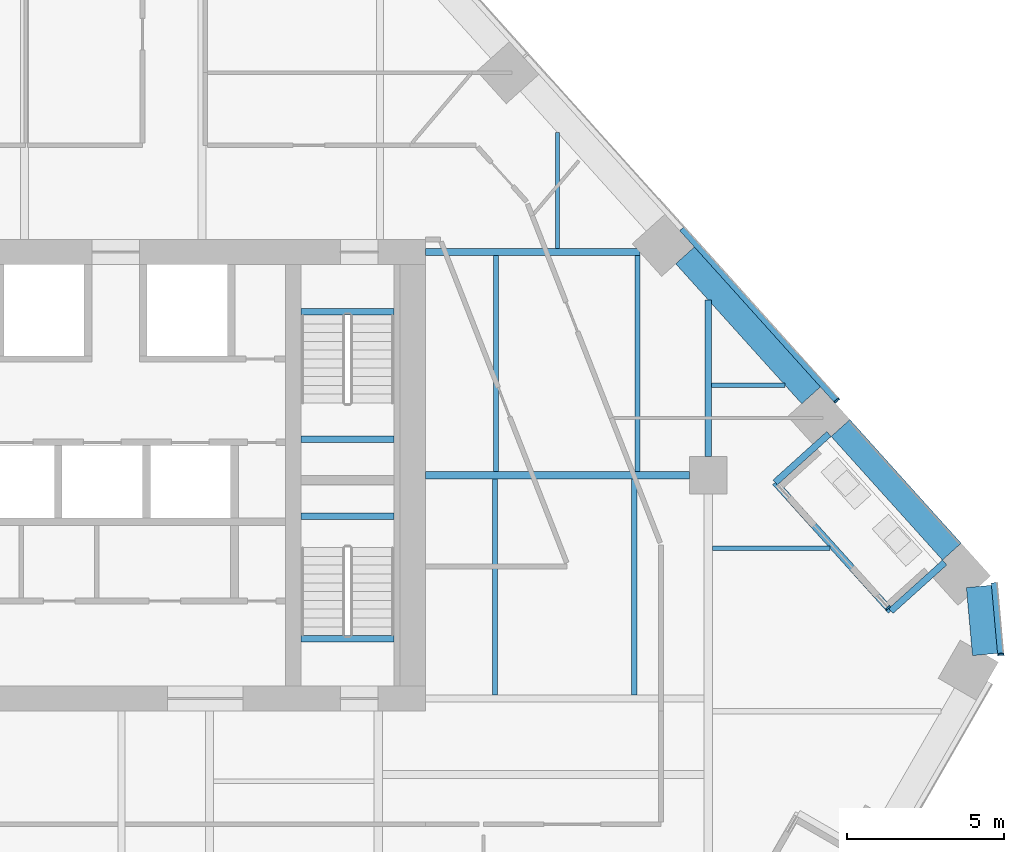
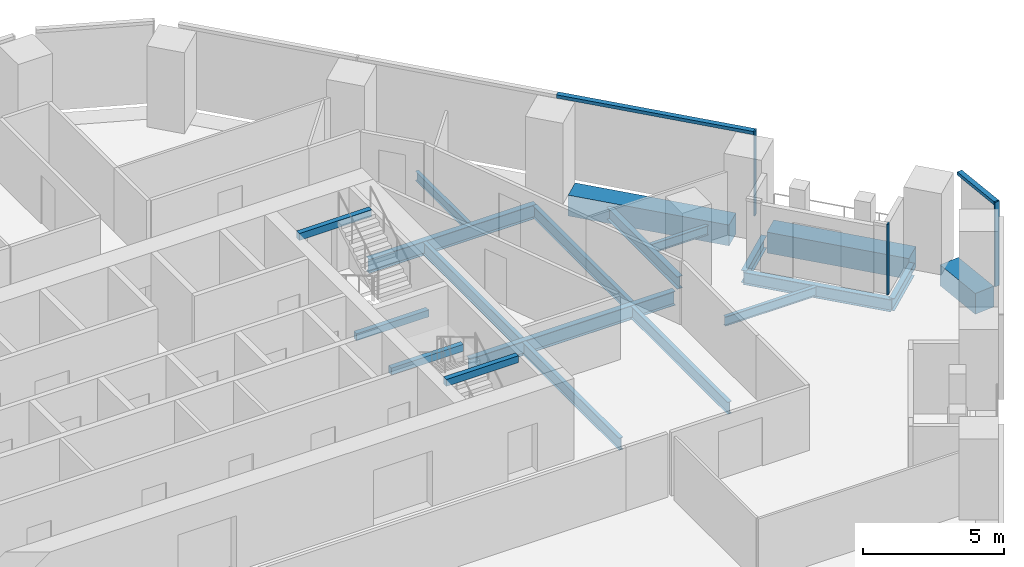
# One storey, part 10 of 26: 20 beams, 5 members, 3 elements without a shape of their own.
"""IFC4 building model written with IfcOpenShell, lengths in metres."""

from ifc_helpers import new_model, si_unit, direction, frame, origin, origin_2d, place, context, subcontext, project, spatial, rectangle, i_section, extrude, material, layer, layer_set, material_profile, profile_set, type_object, element, aggregate, save


model = new_model("IFC4")

# Units and contexts
model_context = context("Model", 3, precision=1e-05, world=origin(), true_north=direction((0.0, 1.0)))
body_context = subcontext(model_context, "Body", "Model", "MODEL_VIEW")
ifc_project = project(units=[si_unit("LENGTHUNIT", "METRE"), si_unit("AREAUNIT", "SQUARE_METRE"), si_unit("VOLUMEUNIT", "CUBIC_METRE"), si_unit("PLANEANGLEUNIT", "RADIAN"), si_unit("MASSUNIT", "GRAM", prefix="KILO")], contexts=[model_context])

# Site, building, storey
site_placement = place(None, origin())
site = spatial("IfcSite", under=ifc_project, at=site_placement, CompositionType="ELEMENT")
building_placement = place(site_placement, origin())
building = spatial("IfcBuilding", under=site, at=building_placement, Name="Isthmus Gate Tower", CompositionType="ELEMENT")
storey_placement = place(building_placement, frame((0.0, 0.0, 129.800048828125)))
storey = spatial("IfcBuildingStorey", under=building, at=storey_placement, Name="L31", CompositionType="ELEMENT", Elevation=129.800048828125)

# Curtain wall, member
ifc_material_1 = material(Name="Aluminium, pale champagne anodised", Category="aluminium")
ifc_layer_1 = layer(ifc_material_1, 0.199951171875)
ifc_layer_set_1 = layer_set([ifc_layer_1], Name="CW-1 UNITISED CURTAIN WALL 200 DEEP")
curtain_wall_type_1 = type_object("IfcCurtainWallType", Name="CW-1 UNITISED CURTAIN WALL 200 DEEP", PredefinedType="NOTDEFINED", material=ifc_layer_set_1)
curtain_wall_1_placement = place(storey_placement, origin())
curtain_wall_1 = element("IfcCurtainWall", 1, at=curtain_wall_1_placement, inside=storey, type_object=curtain_wall_type_1, Name="CW-1 SE-NE L31", PredefinedType="NOTDEFINED")
ifc_material_2 = material(Name="Aluminium, pale champagne anodised", Category="aluminium")
ifc_material_profile_1 = material_profile(ifc_material_2, rectangle(XDim=0.06005859375, YDim=0.199951171875, at=origin_2d()), Name="60x200")
ifc_profile_set_1 = profile_set([ifc_material_profile_1], Name="Aluminium, pale champagne anodised")
member_type_1 = type_object("IfcMemberType", Name="CW-1 MULLION 60 X 200", PredefinedType="MULLION", material=ifc_profile_set_1)
member_1_placement = place(storey_placement, frame((33.307861328125, 1.804443359375, 0.0), z_axis=(0.0, 0.0, 1.0), x_axis=(-0.089396669717, 0.995996102123, 0.0)))
member_1 = element("IfcMember", 2, at=member_1_placement, type_object=member_type_1, Name="CW-1 mullion", PredefinedType="MULLION", context=body_context, shape_type="SweptSolid", body=[
    extrude(rectangle(XDim=0.06005859375, YDim=0.199951171875, at=origin_2d()), origin(), (0.0, 0.0, 1.0), 3.64990234375),
])

curtain_wall_2_placement = place(storey_placement, origin())
curtain_wall_2 = element("IfcCurtainWall", 3, at=curtain_wall_2_placement, inside=storey, type_object=curtain_wall_type_1, Name="CW-1 NE L31", PredefinedType="NOTDEFINED")
member_2_placement = place(storey_placement, frame((28.09228515625, 9.880615234375, 0.0), z_axis=(0.0, 0.0, 1.0), x_axis=(-0.669130606359, 0.743144825477, 0.0)))
member_2 = element("IfcMember", 4, at=member_2_placement, type_object=member_type_1, Name="CW-1 mullion", PredefinedType="MULLION", context=body_context, shape_type="SweptSolid", body=[
    extrude(rectangle(XDim=0.06005859375, YDim=0.199951171875, at=origin_2d()), origin(), (0.0, 0.0, 1.0), 3.64990234375),
])

# Member
ifc_material_3 = material(Name="Aluminium, pale champagne anodised", Category="aluminium")
ifc_material_profile_2 = material_profile(ifc_material_3, rectangle(XDim=0.199951171875, YDim=0.139892578125, at=origin_2d()), Name="200x140")
ifc_profile_set_2 = profile_set([ifc_material_profile_2], Name="Aluminium, pale champagne anodised")
member_type_2 = type_object("IfcMemberType", Name="CW-1 TRANSOM 200 X 140", PredefinedType="USERDEFINED", material=ifc_profile_set_2)
member_3_placement = place(storey_placement, frame((33.30517578125, 1.83447265625, 3.579833984375), z_axis=(-0.089395362867, 0.995996219419, 0.0), x_axis=(-0.995996219419, -0.089395362867, 0.0)))
member_3 = element("IfcMember", 5, at=member_3_placement, type_object=member_type_2, Name="CW-1 transom", ObjectType="TRANSOM", PredefinedType="USERDEFINED", context=body_context, shape_type="SweptSolid", body=[
    extrude(rectangle(XDim=0.199951171875, YDim=0.139892578125, at=origin_2d()), origin(), (0.0, 0.0, 1.0), 2.258544921875),
])

aggregate(curtain_wall_1, [member_1, member_3])

member_4_placement = place(storey_placement, frame((28.072265625, 9.903076171875, 3.579833984375), z_axis=(-0.669137671884, 0.743138463589, 0.0), x_axis=(-0.743138463589, -0.669137671884, 0.0)))
member_4 = element("IfcMember", 6, at=member_4_placement, type_object=member_type_2, Name="CW-1 transom", ObjectType="TRANSOM", PredefinedType="USERDEFINED", context=body_context, shape_type="SweptSolid", body=[
    extrude(rectangle(XDim=0.199951171875, YDim=0.139892578125, at=origin_2d()), origin(), (0.0, 0.0, 1.0), 7.330810546875),
])

aggregate(curtain_wall_2, [member_2, member_4])

# Curtain wall, member
ifc_material_4 = material(Name="Aluminium, pale champagne anodised", Category="aluminium")
ifc_layer_2 = layer(ifc_material_4, 0.14990234375)
ifc_layer_set_2 = layer_set([ifc_layer_2], Name="CW-6 LOGGIA BACK WALL GLAZING 150 DEEP")
curtain_wall_type_2 = type_object("IfcCurtainWallType", Name="CW-6 LOGGIA BACK WALL GLAZING 150 DEEP", PredefinedType="NOTDEFINED", material=ifc_layer_set_2)
curtain_wall_3_placement = place(storey_placement, origin())
curtain_wall_3 = element("IfcCurtainWall", 7, at=curtain_wall_3_placement, inside=storey, type_object=curtain_wall_type_2, Name="CW-6 NE L31", PredefinedType="NOTDEFINED")
ifc_material_5 = material(Name="Aluminium, pale champagne anodised", Category="aluminium")
ifc_material_profile_3 = material_profile(ifc_material_5, rectangle(XDim=0.06005859375, YDim=0.14990234375, at=origin_2d()), Name="60x150")
ifc_profile_set_3 = profile_set([ifc_material_profile_3], Name="Aluminium, pale champagne anodised")
member_type_3 = type_object("IfcMemberType", Name="CW-6 MULLION 60 X 150", PredefinedType="MULLION", material=ifc_profile_set_3)
member_5_placement = place(storey_placement, frame((29.722900390625, 3.28759765625, 0.0), z_axis=(0.0, 0.0, 1.0), x_axis=(-0.669130606359, 0.743144825477, 0.0)))
member_5 = element("IfcMember", 8, at=member_5_placement, type_object=member_type_3, Name="CW-6 mullion", PredefinedType="MULLION", context=body_context, shape_type="SweptSolid", body=[
    extrude(rectangle(XDim=0.06005859375, YDim=0.14990234375, at=origin_2d()), origin(), (0.0, 0.0, 1.0), 3.050048828125),
])
aggregate(curtain_wall_3, [member_5])

# Beams
ifc_material_6 = material(Name="Concrete f'c 60 MPa", Category="concrete")
ifc_material_profile_4 = material_profile(ifc_material_6, rectangle(XDim=0.800048828125, YDim=0.89990234375, at=origin_2d()), Name="RC 800X900")
ifc_profile_set_4 = profile_set([ifc_material_profile_4], Name="Concrete f'c 60 MPa")
beam_type_1 = type_object("IfcBeamType", Name="RC SPANDREL 800 X 900", PredefinedType="SPANDREL", material=ifc_profile_set_4)
beam_1_placement = place(storey_placement, frame((23.263671875, 14.49609375, -0.449951171875), z_axis=(0.669156088603, -0.74312188037, 0.0), x_axis=(0.74312188037, 0.669156088603, 0.0)))
element("IfcBeam", 9, at=beam_1_placement, inside=storey, type_object=beam_type_1, Name="str-spandrel-L31-03", PredefinedType="SPANDREL", context=body_context, shape_type="SweptSolid", body=[
    extrude(rectangle(XDim=0.800048828125, YDim=0.89990234375, at=origin_2d()), origin(), (0.0, 0.0, 1.0), 5.99072265625),
])
beam_2_placement = place(storey_placement, frame((28.209228515625, 9.003662109375, -0.449951171875), z_axis=(0.669130424574, -0.743144989157, 0.0), x_axis=(0.743144989157, 0.669130424574, 0.0)))
element("IfcBeam", 10, at=beam_2_placement, inside=storey, type_object=beam_type_1, Name="str-spandrel-L31-04", PredefinedType="SPANDREL", context=body_context, shape_type="SweptSolid", body=[
    extrude(rectangle(XDim=0.800048828125, YDim=0.89990234375, at=origin_2d()), origin(), (0.0, 0.0, 1.0), 5.290771484375),
])
beam_3_placement = place(storey_placement, frame((32.61181640625, 3.964599609375, -0.449951171875), z_axis=(0.089421511639, -0.995993872098, 0.0), x_axis=(0.995993872098, 0.089421511639, 0.0)))
element("IfcBeam", 11, at=beam_3_placement, inside=storey, type_object=beam_type_1, Name="str-spandrel-L31-05", PredefinedType="SPANDREL", context=body_context, shape_type="SweptSolid", body=[
    extrude(rectangle(XDim=0.800048828125, YDim=0.89990234375, at=origin_2d()), origin(), (0.0, 0.0, 1.0), 2.17333984375),
])
ifc_material_7 = material(Name="Concrete f'c 40 MPa", Category="concrete")
ifc_material_profile_5 = material_profile(ifc_material_7, rectangle(XDim=0.199951171875, YDim=0.300048828125, at=origin_2d()), Name="STAIR LANDING BEAM RC 200 X 300")
ifc_profile_set_5 = profile_set([ifc_material_profile_5], Name="Concrete f'c 40 MPa")
beam_type_2 = type_object("IfcBeamType", Name="STAIR LANDING BEAM RC 200 X 300", PredefinedType="BEAM", material=ifc_profile_set_5)
for number, where, z_axis, x_axis, name in (
    (12, (11.050048828125, 8.64990234375, 1.474853515625), (1.0, 0.0, 0.0), (0.0, 1.0, 0.0), "L31 ST2 landing beam 1"),
    (13, (11.050048828125, 12.7001953125, 3.349853515625), (1.0, 0.0, 0.0), (0.0, 1.0, 0.0), "L31 ST2 floor-edge seat beam"),
    (14, (11.050048828125, 6.199951171875, 1.474853515625), (1.0, 0.0, 0.0), (0.0, 1.0, 0.0), "L31 ST8 landing beam 1"),
    (15, (11.050048828125, 2.2998046875, 3.349853515625), (1.0, 0.0, 0.0), (0.0, 1.0, 0.0), "L31 ST8 floor-edge seat beam"),
):
    element("IfcBeam", number, at=place(storey_placement, frame(where, z_axis=z_axis, x_axis=x_axis)), inside=storey, type_object=beam_type_2, Name=name, PredefinedType="BEAM", context=body_context, shape_type="SweptSolid", body=[
        extrude(rectangle(XDim=0.199951171875, YDim=0.300048828125, at=origin_2d()), origin(), (0.0, 0.0, 1.0), 2.949951171875),
    ])
ifc_material_8 = material(Name="Structural steel ASTM A992 Gr 50", Category="steel")
ifc_material_profile_6 = material_profile(ifc_material_8, i_section(OverallWidth=0.1396484375, OverallDepth=0.4033203125, WebThickness=0.00634765625, FlangeThickness=0.010986328125, at=origin_2d()), Name="W16X31")
ifc_profile_set_6 = profile_set([ifc_material_profile_6], Name="Structural steel ASTM A992 Gr 50")
beam_type_3 = type_object("IfcBeamType", Name="STEEL FLOOR BEAM W16X31", PredefinedType="JOIST", material=ifc_profile_set_6)
beam_4_placement = place(storey_placement, frame((19.204345703125, 14.71435546875, -0.3515625), z_axis=(0.0, 1.0, 0.0), x_axis=(-1.0, 0.0, 0.0)))
element("IfcBeam", 16, at=beam_4_placement, inside=storey, type_object=beam_type_3, Name="str-beam-L31-08-07", PredefinedType="JOIST", context=body_context, shape_type="SweptSolid", body=[
    extrude(i_section(OverallWidth=0.1396484375, OverallDepth=0.4033203125, WebThickness=0.00634765625, FlangeThickness=0.010986328125, at=origin_2d()), origin(), (0.0, 0.0, 1.0), 3.6923828125),
])
beam_5_placement = place(storey_placement, frame((24.13330078125, 5.184814453125, -0.3515625), z_axis=(1.0, 0.0, 0.0), x_axis=(0.0, 1.0, 0.0)))
element("IfcBeam", 17, at=beam_5_placement, inside=storey, type_object=beam_type_3, Name="str-beam-L31-19-02", PredefinedType="JOIST", context=body_context, shape_type="SweptSolid", body=[
    extrude(i_section(OverallWidth=0.1396484375, OverallDepth=0.4033203125, WebThickness=0.00634765625, FlangeThickness=0.010986328125, at=origin_2d()), origin(), (0.0, 0.0, 1.0), 3.73388671875),
])
beam_6_placement = place(storey_placement, frame((24.104736328125, 10.37109375, -0.3515625), z_axis=(1.0, 0.0, 0.0), x_axis=(0.0, 1.0, 0.0)))
element("IfcBeam", 18, at=beam_6_placement, inside=storey, type_object=beam_type_3, Name="str-beam-L31-19-03", PredefinedType="JOIST", context=body_context, shape_type="SweptSolid", body=[
    extrude(i_section(OverallWidth=0.1396484375, OverallDepth=0.4033203125, WebThickness=0.00634765625, FlangeThickness=0.010986328125, at=origin_2d()), origin(), (0.0, 0.0, 1.0), 2.3349609375),
])
ifc_material_9 = material(Name="Structural steel ASTM A992 Gr 50", Category="steel")
ifc_material_profile_7 = material_profile(ifc_material_9, i_section(OverallWidth=0.1650390625, OverallDepth=0.52392578125, WebThickness=0.009521484375, FlangeThickness=0.010986328125, at=origin_2d()), Name="W21X44")
ifc_profile_set_7 = profile_set([ifc_material_profile_7], Name="Structural steel ASTM A992 Gr 50")
beam_type_4 = type_object("IfcBeamType", Name="STEEL FLOOR BEAM W21X44", PredefinedType="JOIST", material=ifc_profile_set_7)
for number, where, z_axis, x_axis, name in (
    (19, (17.25, 7.6142578125, -0.412109375), (0.0, 1.0, 0.0), (-1.0, 0.0, 0.0), "str-beam-L31-16-00"),
    (20, (21.75, 7.6142578125, -0.412109375), (0.0, 1.0, 0.0), (-1.0, 0.0, 0.0), "str-beam-L31-16-01"),
    (21, (17.216552734375, 0.514404296875, -0.412109375), (0.0, 1.0, 0.0), (-1.0, 0.0, 0.0), "str-beam-L31-17-00"),
    (22, (21.64990234375, 0.514404296875, -0.412109375), (0.0, 1.0, 0.0), (-1.0, 0.0, 0.0), "str-beam-L31-17-01"),
):
    element("IfcBeam", number, at=place(storey_placement, frame(where, z_axis=z_axis, x_axis=x_axis)), inside=storey, type_object=beam_type_4, Name=name, PredefinedType="JOIST", context=body_context, shape_type="SweptSolid", body=[
        extrude(i_section(OverallWidth=0.1650390625, OverallDepth=0.52392578125, WebThickness=0.009521484375, FlangeThickness=0.010986328125, at=origin_2d()), origin(), (0.0, 0.0, 1.0), 6.871337890625),
    ])
ifc_material_10 = material(Name="Structural steel ASTM A992 Gr 50", Category="steel")
ifc_material_profile_8 = material_profile(ifc_material_10, i_section(OverallWidth=0.20947265625, OverallDepth=0.533447265625, WebThickness=0.009521484375, FlangeThickness=0.015869140625, at=origin_2d()), Name="W21X62")
ifc_profile_set_8 = profile_set([ifc_material_profile_8], Name="Structural steel ASTM A992 Gr 50")
beam_type_5 = type_object("IfcBeamType", Name="STEEL GIRDER W21X62", PredefinedType="BEAM", material=ifc_profile_set_8)
beam_7_placement = place(storey_placement, frame((24.0, 8.10009765625, -0.416748046875), z_axis=(0.0, 1.0, 0.0), x_axis=(-1.0, 0.0, 0.0)))
element("IfcBeam", 23, at=beam_7_placement, inside=storey, type_object=beam_type_5, Name="str-girder-L31-11", PredefinedType="BEAM", context=body_context, shape_type="SweptSolid", body=[
    extrude(i_section(OverallWidth=0.20947265625, OverallDepth=0.533447265625, WebThickness=0.009521484375, FlangeThickness=0.015869140625, at=origin_2d()), origin(), (0.0, 0.0, 1.0), 4.98046875),
])
ifc_material_11 = material(Name="Structural steel ASTM A992 Gr 50", Category="steel")
ifc_material_profile_9 = material_profile(ifc_material_11, i_section(OverallWidth=0.228515625, OverallDepth=0.603271484375, WebThickness=0.010986328125, FlangeThickness=0.014404296875, at=origin_2d()), Name="W24X68")
ifc_profile_set_9 = profile_set([ifc_material_profile_9], Name="Structural steel ASTM A992 Gr 50")
beam_type_6 = type_object("IfcBeamType", Name="STEEL GIRDER W24X68", PredefinedType="BEAM", material=ifc_profile_set_9)
beam_8_placement = place(storey_placement, frame((15.0, 14.60009765625, -0.45166015625), z_axis=(1.0, 0.0, 0.0), x_axis=(0.0, 1.0, 0.0)))
element("IfcBeam", 24, at=beam_8_placement, inside=storey, type_object=beam_type_6, Name="str-girder-L31-15", PredefinedType="BEAM", context=body_context, shape_type="SweptSolid", body=[
    extrude(i_section(OverallWidth=0.228515625, OverallDepth=0.603271484375, WebThickness=0.010986328125, FlangeThickness=0.014404296875, at=origin_2d()), origin(), (0.0, 0.0, 1.0), 6.824462890625),
])
ifc_material_12 = material(Name="Structural steel ASTM A992 Gr 50", Category="steel")
ifc_material_profile_10 = material_profile(ifc_material_12, i_section(OverallWidth=0.228515625, OverallDepth=0.6064453125, WebThickness=0.010986328125, FlangeThickness=0.017578125, at=origin_2d()), Name="W24X76")
ifc_profile_set_10 = profile_set([ifc_material_profile_10], Name="Structural steel ASTM A992 Gr 50")
beam_type_7 = type_object("IfcBeamType", Name="STEEL GIRDER W24X76", PredefinedType="BEAM", material=ifc_profile_set_10)
beam_9_placement = place(storey_placement, frame((15.0, 7.5, -0.453369140625), z_axis=(1.0, 0.0, 0.0), x_axis=(0.0, 1.0, 0.0)))
element("IfcBeam", 25, at=beam_9_placement, inside=storey, type_object=beam_type_7, Name="str-girder-L31-05", PredefinedType="BEAM", context=body_context, shape_type="SweptSolid", body=[
    extrude(i_section(OverallWidth=0.228515625, OverallDepth=0.6064453125, WebThickness=0.010986328125, FlangeThickness=0.017578125, at=origin_2d()), origin(), (0.0, 0.0, 1.0), 8.39990234375),
])
ifc_material_13 = material(Name="Structural steel ASTM A992 Gr 50", Category="steel")
ifc_material_profile_11 = material_profile(ifc_material_13, i_section(OverallWidth=0.20947265625, OverallDepth=0.533447265625, WebThickness=0.009521484375, FlangeThickness=0.015869140625, at=origin_2d()), Name="W21X62")
ifc_profile_set_11 = profile_set([ifc_material_profile_11], Name="Structural steel ASTM A992 Gr 50")
beam_type_8 = type_object("IfcBeamType", Name="STEEL TRIMMER W21X62", PredefinedType="BEAM", material=ifc_profile_set_11)
beam_10_placement = place(storey_placement, frame((29.8095703125, 3.18408203125, -0.416748046875), z_axis=(-0.66911920994, 0.743155086701, 0.0), x_axis=(-0.743155086701, -0.66911920994, 0.0)))
element("IfcBeam", 26, at=beam_10_placement, inside=storey, type_object=beam_type_8, Name="str-loggiatrim-L31-05-B", PredefinedType="BEAM", context=body_context, shape_type="SweptSolid", body=[
    extrude(i_section(OverallWidth=0.20947265625, OverallDepth=0.533447265625, WebThickness=0.009521484375, FlangeThickness=0.015869140625, at=origin_2d()), origin(), (0.0, 0.0, 1.0), 5.50048828125),
])
for number, where, z_axis, x_axis, name in (
    (27, (31.522216796875, 4.726318359375, -0.416748046875), (-0.743109762025, -0.669169546217, 0.0), (0.669169546217, -0.743109762025, 0.0), "str-loggiatrim-L31-05-A"),
    (28, (27.841796875, 8.81396484375, -0.416748046875), (-0.743109762025, -0.669169546217, 0.0), (0.669169546217, -0.743109762025, 0.0), "str-loggiatrim-L31-05-C"),
):
    element("IfcBeam", number, at=place(storey_placement, frame(where, z_axis=z_axis, x_axis=x_axis)), inside=storey, type_object=beam_type_8, Name=name, PredefinedType="BEAM", context=body_context, shape_type="SweptSolid", body=[
        extrude(i_section(OverallWidth=0.20947265625, OverallDepth=0.533447265625, WebThickness=0.009521484375, FlangeThickness=0.015869140625, at=origin_2d()), origin(), (0.0, 0.0, 1.0), 2.3046875),
    ])

save(model, "model.ifc")
